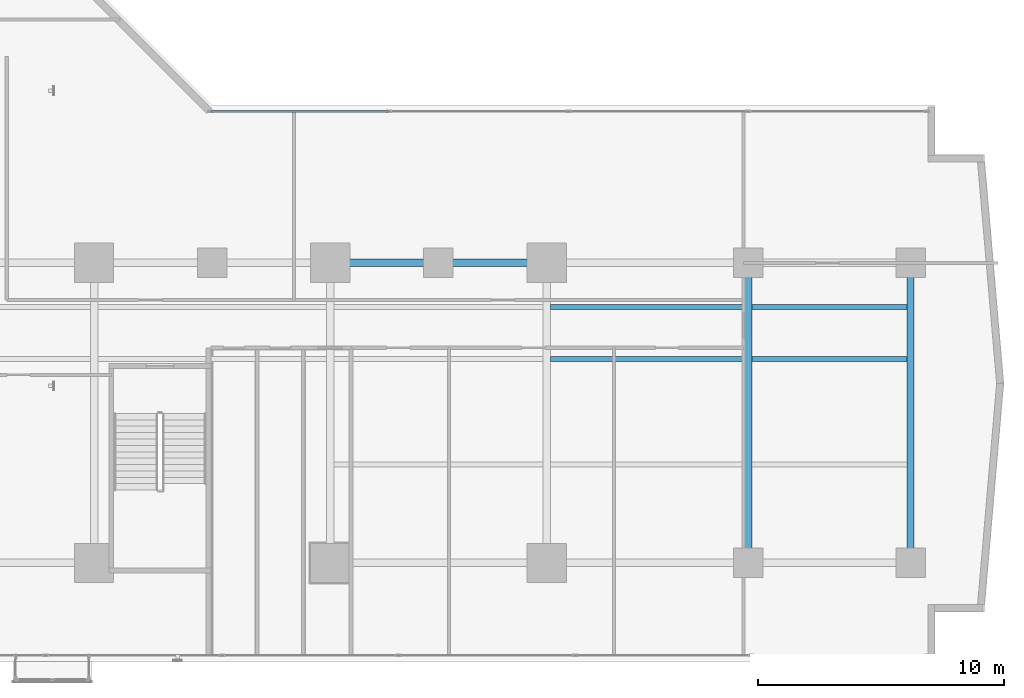
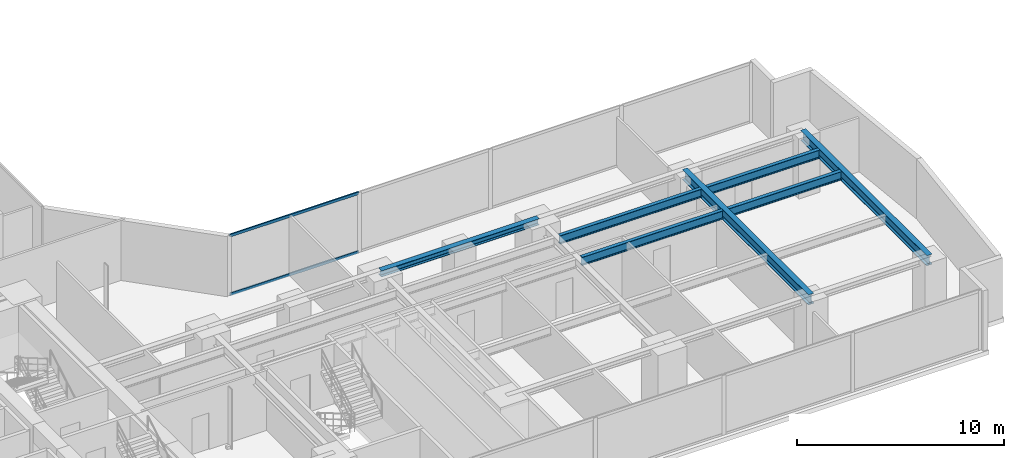
# One storey, part 12 of 27: 7 beams, 2 members, 1 element without a shape of its own.
"""IFC4 building model written with IfcOpenShell, lengths in metres."""

from ifc_helpers import new_model, si_unit, direction, frame, origin, origin_with_axes, origin_2d, place, context, subcontext, project, spatial, hollow_rectangle, i_section, extrude, source, transform, mapped, material, layer, layer_set, material_profile, profile_set, type_object, element, aggregate, save


model = new_model("IFC4")

# Units and contexts
model_context = context("Model", 3, precision=1e-05, world=origin(), true_north=direction((0.0, 1.0)))
body_context = subcontext(model_context, "Body", "Model", "MODEL_VIEW")
ifc_project = project(units=[si_unit("LENGTHUNIT", "METRE"), si_unit("AREAUNIT", "SQUARE_METRE"), si_unit("VOLUMEUNIT", "CUBIC_METRE"), si_unit("PLANEANGLEUNIT", "RADIAN"), si_unit("MASSUNIT", "GRAM", prefix="KILO")], contexts=[model_context])

# Site, building, storey
site_placement = place(None, origin())
site = spatial("IfcSite", under=ifc_project, at=site_placement, CompositionType="ELEMENT")
building_placement = place(site_placement, origin())
building = spatial("IfcBuilding", under=site, at=building_placement, Name="Kolvaren Waterfront Exchange", CompositionType="ELEMENT")
storey_placement = place(building_placement, frame((0.0, 0.0, 60.0)))
storey = spatial("IfcBuildingStorey", under=building, at=storey_placement, Name="L15", CompositionType="ELEMENT", Elevation=60.0)

# Beams
ifc_material_1 = material(Name="Steel S355", Category="steel")
ifc_material_profile_1 = material_profile(ifc_material_1, i_section(OverallWidth=0.300048828125, OverallDepth=0.360107421875, WebThickness=0.012451171875, FlangeThickness=0.0224609375, FilletRadius=0.027099609375, at=origin_2d()), Name="HEB360")
ifc_profile_set_1 = profile_set([ifc_material_profile_1], Name="Steel S355")
beam_type_1 = type_object("IfcBeamType", Name="STR-BM-HEB360", PredefinedType="SPANDREL", material=ifc_profile_set_1)
beam_placement = place(storey_placement, frame((36.800048828125, 17.39990234375, 3.360107421875), z_axis=(1.0, 0.0, 0.0), x_axis=(0.0, 1.0, 0.0)))
element("IfcBeam", 1, at=beam_placement, inside=storey, type_object=beam_type_1, Name="L15 east-arm spandrel N3", PredefinedType="SPANDREL", context=body_context, shape_type="SweptSolid", body=[
    extrude(i_section(OverallWidth=0.300048828125, OverallDepth=0.360107421875, WebThickness=0.012451171875, FlangeThickness=0.0224609375, FilletRadius=0.027099609375, at=origin_2d()), origin(), (0.0, 0.0, 1.0), 8.800048828125),
])
ifc_material_profile_2 = material_profile(ifc_material_1, i_section(OverallWidth=0.300048828125, OverallDepth=0.60009765625, WebThickness=0.015380859375, FlangeThickness=0.030029296875, FilletRadius=0.027099609375, at=origin_2d()), Name="HEB600")
ifc_profile_set_2 = profile_set([ifc_material_profile_2], Name="Steel S355")
beam_type_2 = type_object("IfcBeamType", Name="STR-BM-HEB600", PredefinedType="BEAM", material=ifc_profile_set_2)
for number, where, z_axis, x_axis, name in (
    (2, (53.800048828125, 5.199951171875, 3.239990234375), (0.0, 1.0, 0.0), (-1.0, 0.0, 0.0), "L15 east-arm transverse girder X53"),
    (3, (60.39990234375, 5.199951171875, 3.239990234375), (0.0, 1.0, 0.0), (-1.0, 0.0, 0.0), "L15 east-arm transverse girder X60"),
):
    element("IfcBeam", number, at=place(storey_placement, frame(where, z_axis=z_axis, x_axis=x_axis)), inside=storey, type_object=beam_type_2, Name=name, PredefinedType="BEAM", context=body_context, shape_type="SweptSolid", body=[
        extrude(i_section(OverallWidth=0.300048828125, OverallDepth=0.60009765625, WebThickness=0.015380859375, FlangeThickness=0.030029296875, FilletRadius=0.027099609375, at=origin_2d()), origin(), (0.0, 0.0, 1.0), 12.199951171875),
    ])
ifc_material_profile_3 = material_profile(ifc_material_1, i_section(OverallWidth=0.199951171875, OverallDepth=0.5, WebThickness=0.01025390625, FlangeThickness=0.01611328125, FilletRadius=0.02099609375, at=origin_2d()), Name="IPE500")
ifc_profile_set_3 = profile_set([ifc_material_profile_3], Name="Steel S355")
beam_type_3 = type_object("IfcBeamType", Name="STR-BM-IPE500", PredefinedType="JOIST", material=ifc_profile_set_3)
for number, where, z_axis, x_axis, name in (
    (4, (45.751953125, 13.5, 3.2900390625), (1.0, 0.0, 0.0), (0.0, 1.0, 0.0), "L15 east-arm composite joist 4A"),
    (5, (45.751953125, 15.60009765625, 3.2900390625), (1.0, 0.0, 0.0), (0.0, 1.0, 0.0), "L15 east-arm composite joist 4C"),
):
    element("IfcBeam", number, at=place(storey_placement, frame(where, z_axis=z_axis, x_axis=x_axis)), inside=storey, type_object=beam_type_3, Name=name, PredefinedType="JOIST", context=body_context, shape_type="SweptSolid", body=[
        extrude(i_section(OverallWidth=0.199951171875, OverallDepth=0.5, WebThickness=0.01025390625, FlangeThickness=0.01611328125, FilletRadius=0.02099609375, at=origin_2d()), origin(), (0.0, 0.0, 1.0), 7.89599609375),
    ])
for number, where, z_axis, x_axis, name in (
    (6, (53.951904296875, 13.5, 3.2900390625), (1.0, 0.0, 0.0), (0.0, 1.0, 0.0), "L15 east-arm composite joist 5A"),
    (7, (53.951904296875, 15.60009765625, 3.2900390625), (1.0, 0.0, 0.0), (0.0, 1.0, 0.0), "L15 east-arm composite joist 5C"),
):
    element("IfcBeam", number, at=place(storey_placement, frame(where, z_axis=z_axis, x_axis=x_axis)), inside=storey, type_object=beam_type_3, Name=name, PredefinedType="JOIST", context=body_context, shape_type="SweptSolid", body=[
        extrude(i_section(OverallWidth=0.199951171875, OverallDepth=0.5, WebThickness=0.01025390625, FlangeThickness=0.01611328125, FilletRadius=0.02099609375, at=origin_2d()), origin(), (0.0, 0.0, 1.0), 6.296142578125),
    ])

# Curtain wall, members
ifc_material_2 = material(Name="Anodised bronze aluminium 6063-T6", Category="aluminium")
ifc_layer = layer(ifc_material_2, 0.219970703125, Name="Anodised bronze aluminium 6063-T6")
ifc_layer_set = layer_set([ifc_layer], Name="Anodised bronze aluminium 6063-T6")
curtain_wall_type = type_object("IfcCurtainWallType", Name="ARC-CW-SYS1", PredefinedType="USERDEFINED", material=ifc_layer_set)
curtain_wall_placement = place(storey_placement, origin())
curtain_wall = element("IfcCurtainWall", 8, at=curtain_wall_placement, inside=storey, type_object=curtain_wall_type, Name="L15 stick curtain wall CW1 (CW-L15-EN)", ObjectType="STICK CURTAIN WALL", PredefinedType="USERDEFINED")
ifc_material_3 = material(Name="Anodised aluminium 6063-T6", Category="aluminium")
ifc_material_profile_4 = material_profile(ifc_material_3, hollow_rectangle(XDim=0.074951171875, YDim=0.159912109375, WallThickness=0.00439453125, at=origin_2d()), Name="ALU-TRN-160x75x4.5")
ifc_profile_set_4 = profile_set([ifc_material_profile_4], Name="Anodised aluminium 6063-T6")
member_type = type_object("IfcMemberType", Name="ARC-CWT-160", PredefinedType="USERDEFINED", material=ifc_profile_set_4)
shared_shape = source(origin_with_axes(), body_context, "Body", "SweptSolid", [
    extrude(hollow_rectangle(XDim=0.074951171875, YDim=0.159912109375, WallThickness=0.00439453125, at=origin_2d()), origin(), (0.0, 0.0, 1.0), 7.1826171875),
])
member_1_placement = place(storey_placement, frame((31.969970703125, 23.56005859375, 0.03759765625), z_axis=(1.0, 0.0, 0.0), x_axis=(0.0, 1.0, 0.0)))
member_1 = element("IfcMember", 9, at=member_1_placement, type_object=member_type, Name="CW1 transom 1.1", ObjectType="TRANSOM", PredefinedType="USERDEFINED", context=body_context, shape_type="MappedRepresentation", body=[
    mapped(shared_shape, transform((0.0, 0.0, 0.0), x_axis=(1.0, 0.0, 0.0), y_axis=(0.0, 1.0, 0.0), z_axis=(0.0, 0.0, 1.0), scale=1.0)),
])
member_2_placement = place(storey_placement, frame((31.969970703125, 23.56005859375, 3.50244140625), z_axis=(1.0, 0.0, 0.0), x_axis=(0.0, 1.0, 0.0)))
member_2 = element("IfcMember", 10, at=member_2_placement, type_object=member_type, Name="CW1 transom 1.2", ObjectType="TRANSOM", PredefinedType="USERDEFINED", context=body_context, shape_type="MappedRepresentation", body=[
    mapped(shared_shape, transform((0.0, 0.0, 0.0), x_axis=(1.0, 0.0, 0.0), y_axis=(0.0, 1.0, 0.0), z_axis=(0.0, 0.0, 1.0), scale=1.0)),
])
aggregate(curtain_wall, [member_1, member_2])

save(model, "model.ifc")
